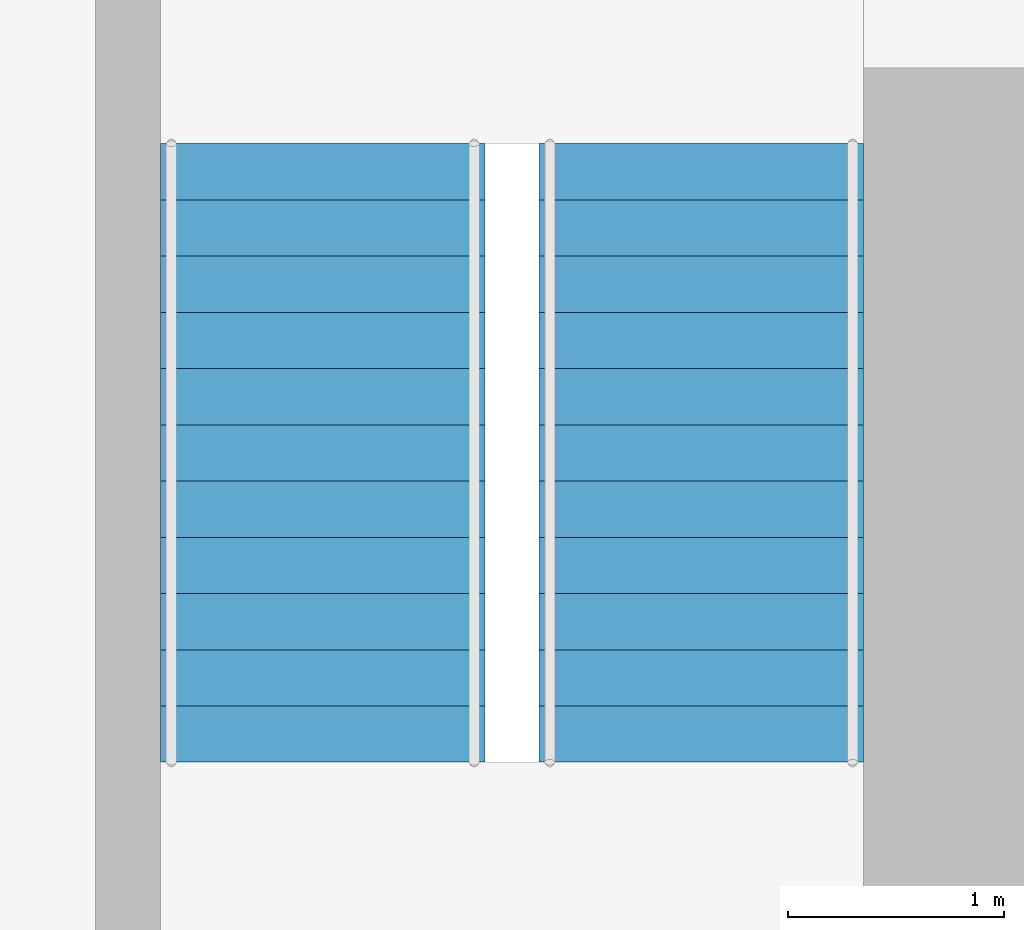
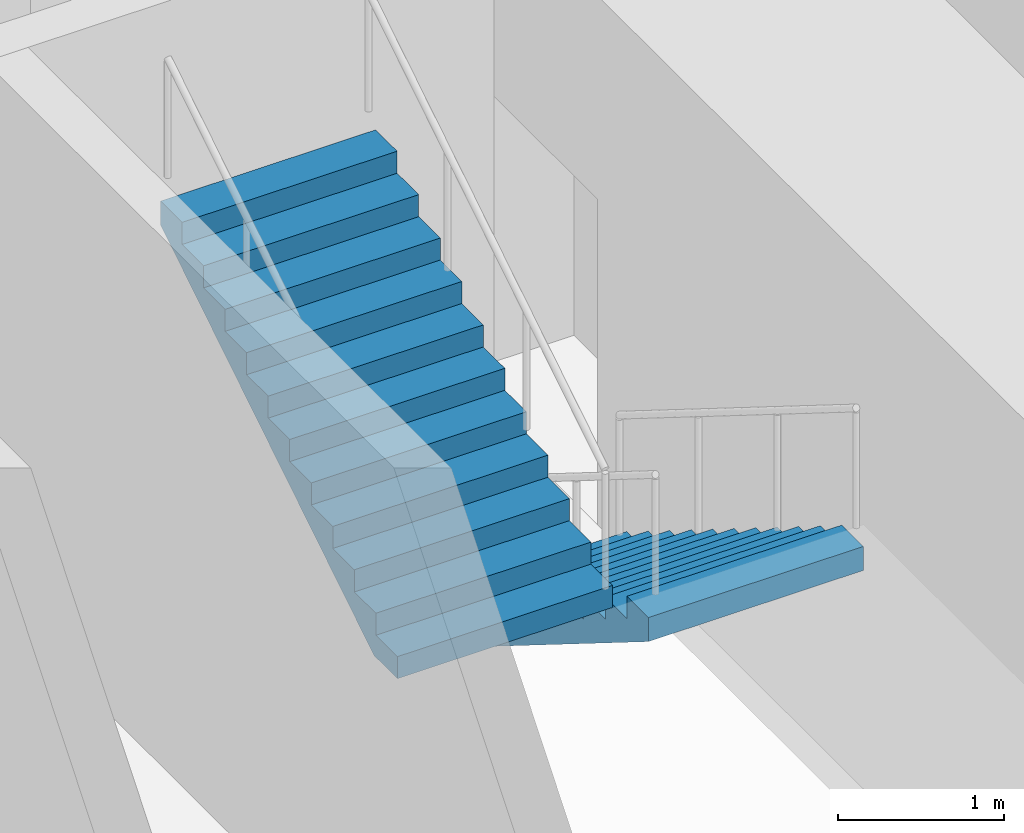
# One storey, part 11 of 12: 2 stair flights, 1 element without a shape of its own.
"""IFC4 building model written with IfcOpenShell, lengths in metres."""

from ifc_helpers import new_model, si_unit, direction, frame, origin, place, context, subcontext, project, spatial, polyline, outline, extrude, material, type_object, element, aggregate, save


model = new_model("IFC4")

# Units and contexts
model_context = context("Model", 3, precision=1e-05, world=origin(), true_north=direction((0.0, 1.0)))
body_context = subcontext(model_context, "Body", "Model", "MODEL_VIEW")
ifc_project = project(units=[si_unit("LENGTHUNIT", "METRE"), si_unit("AREAUNIT", "SQUARE_METRE"), si_unit("VOLUMEUNIT", "CUBIC_METRE"), si_unit("PLANEANGLEUNIT", "RADIAN"), si_unit("MASSUNIT", "GRAM", prefix="KILO")], contexts=[model_context])

# Site, building, storey
site_placement = place(None, origin())
site = spatial("IfcSite", under=ifc_project, at=site_placement, CompositionType="ELEMENT")
building_placement = place(site_placement, origin())
building = spatial("IfcBuilding", under=site, at=building_placement, Name="Highveld Stack Headquarters", CompositionType="ELEMENT")
storey_placement = place(building_placement, frame((0.0, 0.0, 65.0)))
storey = spatial("IfcBuildingStorey", under=building, at=storey_placement, Name="L15", CompositionType="ELEMENT", Elevation=65.0)

# Stair, stair flights
ifc_material_1 = material(Name="Concrete C40/50, precast", Category="concrete")
stair_type = type_object("IfcStairType", Name="STAIR S2 HALF TURN 1500", PredefinedType="HALF_TURN_STAIR", material=ifc_material_1)
stair_placement = place(storey_placement, origin())
stair = element("IfcStair", 1, at=stair_placement, inside=storey, type_object=stair_type, Name="Stair S2 L15", PredefinedType="HALF_TURN_STAIR")
ifc_material_2 = material(Name="Concrete C40/50, precast", Category="concrete")
stair_flight_type = type_object("IfcStairFlightType", Name="STAIR FLIGHT 1500 PRECAST", PredefinedType="STRAIGHT", material=ifc_material_2)
stair_flight_1_placement = place(storey_placement, frame((16.85009765625, 1.25, 0.0), z_axis=(0.0, 0.0, 1.0), x_axis=(0.0, -1.0, 0.0)))
stair_flight_1 = element("IfcStairFlight", 2, at=stair_flight_1_placement, type_object=stair_flight_type, Name="S2 flight 1", NumberOfRisers=12, NumberOfTreads=11, PredefinedType="STRAIGHT", RiserHeight=0.1625, TreadLength=0.26, context=body_context, shape_type="SweptSolid", body=[
    extrude(outline(polyline([(0.0, 0.0), (0.0, 0.16259765625), (0.260009765625, 0.16259765625), (0.260009765625, 0.324951171875), (0.52001953125, 0.324951171875), (0.52001953125, 0.487548828125), (0.780029296875, 0.487548828125), (0.780029296875, 0.64990234375), (1.0400390625, 0.64990234375), (1.0400390625, 0.8125), (1.300048828125, 0.8125), (1.300048828125, 0.97509765625), (1.56005859375, 0.97509765625), (1.56005859375, 1.137451171875), (1.820068359375, 1.137451171875), (1.820068359375, 1.300048828125), (2.080078125, 1.300048828125), (2.080078125, 1.46240234375), (2.340087890625, 1.46240234375), (2.340087890625, 1.625), (2.60009765625, 1.625), (2.60009765625, 1.78759765625), (2.860107421875, 1.78759765625), (2.860107421875, 1.949951171875), (2.860107421875, 1.61083984375), (0.28271484375, 0.0), (0.0, 0.0)])), frame((0.0, 0.75, 0.0), z_axis=(0.0, -1.0, 0.0), x_axis=(1.0, 0.0, 0.0)), (0.0, 0.0, 1.0), 1.5),
])
stair_flight_2_placement = place(storey_placement, frame((15.10009765625, -1.610107421875, 1.949951171875), z_axis=(0.0, 0.0, 1.0), x_axis=(0.0, 1.0, 0.0)))
stair_flight_2 = element("IfcStairFlight", 3, at=stair_flight_2_placement, type_object=stair_flight_type, Name="S2 flight 2", NumberOfRisers=12, NumberOfTreads=11, PredefinedType="STRAIGHT", RiserHeight=0.1625, TreadLength=0.26, context=body_context, shape_type="SweptSolid", body=[
    extrude(outline(polyline([(0.0, 0.0), (0.0, 0.16259765625), (0.260009765625, 0.16259765625), (0.260009765625, 0.324951171875), (0.52001953125, 0.324951171875), (0.52001953125, 0.487548828125), (0.780029296875, 0.487548828125), (0.780029296875, 0.64990234375), (1.0400390625, 0.64990234375), (1.0400390625, 0.8125), (1.300048828125, 0.8125), (1.300048828125, 0.97509765625), (1.56005859375, 0.97509765625), (1.56005859375, 1.137451171875), (1.820068359375, 1.137451171875), (1.820068359375, 1.300048828125), (2.080078125, 1.300048828125), (2.080078125, 1.46240234375), (2.340087890625, 1.46240234375), (2.340087890625, 1.625), (2.60009765625, 1.625), (2.60009765625, 1.78759765625), (2.860107421875, 1.78759765625), (2.860107421875, 1.949951171875), (2.860107421875, 1.61083984375), (0.28271484375, 0.0), (0.0, 0.0)])), frame((0.0, 0.75, 0.0), z_axis=(0.0, -1.0, 0.0), x_axis=(1.0, 0.0, 0.0)), (0.0, 0.0, 1.0), 1.5),
])
aggregate(stair, [stair_flight_1, stair_flight_2])

save(model, "model.ifc")
